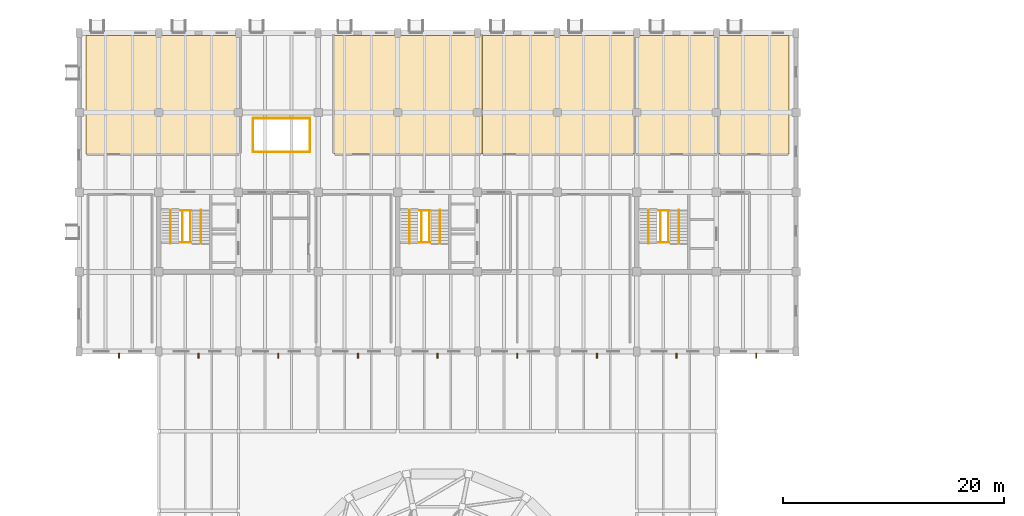
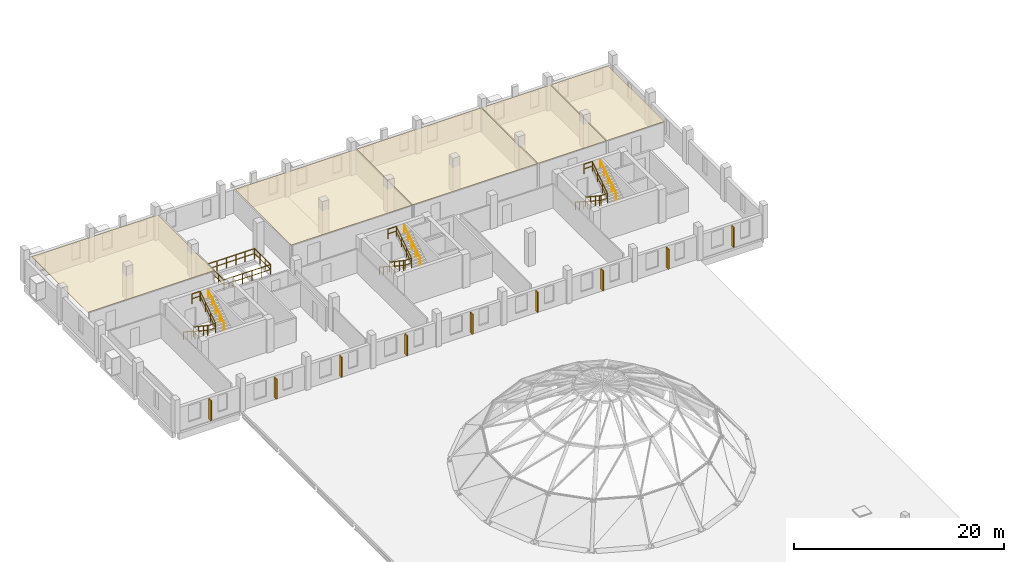
# One storey, part 32 of 32: 22 railings, 9 shading devices, 5 coverings.
"""IFC4 building model written with IfcOpenShell, lengths in metres."""

from ifc_helpers import new_model, si_unit, direction, frame, origin, origin_2d, place, context, subcontext, project, spatial, polyline, rectangle, circle, outline, extrude, material, layer, layer_set, material_profile, profile_set, type_object, element, save


model = new_model("IFC4")

# Units and contexts
model_context = context("Model", 3, precision=1e-05, world=origin(), true_north=direction((0.0, 1.0)))
body_context = subcontext(model_context, "Body", "Model", "MODEL_VIEW")
ifc_project = project(units=[si_unit("LENGTHUNIT", "METRE"), si_unit("AREAUNIT", "SQUARE_METRE"), si_unit("VOLUMEUNIT", "CUBIC_METRE"), si_unit("PLANEANGLEUNIT", "RADIAN"), si_unit("MASSUNIT", "GRAM", prefix="KILO")], contexts=[model_context])

# Site, building, storey
site_placement = place(None, origin())
site = spatial("IfcSite", under=ifc_project, at=site_placement, CompositionType="ELEMENT")
building_placement = place(site_placement, origin())
building = spatial("IfcBuilding", under=site, at=building_placement, Name="Qiaolan Assembly House", CompositionType="ELEMENT")
storey_placement = place(building_placement, frame((0.0, 0.0, 18.60009765625)))
storey = spatial("IfcBuildingStorey", under=building, at=storey_placement, Name="L04", CompositionType="ELEMENT", Elevation=18.60009765625)

# Coverings
ifc_material_1 = material(Name="Gypsum plasterboard acoustic ceiling")
ifc_layer_1 = layer(ifc_material_1, 0.044921875)
ifc_layer_set_1 = layer_set([ifc_layer_1], Name="Gypsum plasterboard acoustic ceiling")
covering_type_1 = type_object("IfcCoveringType", Name="COV-CEIL-ACOUSTIC", PredefinedType="CEILING", material=ifc_layer_set_1)
covering_1_placement = place(storey_placement, frame((0.0, 0.0, 2.73486328125)))
element("IfcCovering", 1, at=covering_1_placement, inside=storey, type_object=covering_type_1, Name="Suspended ceiling Municipal Finance & Audit Directorate", PredefinedType="CEILING", context=body_context, shape_type="SweptSolid", body=[
    extrude(outline(polyline([(36.639892578125, 104.239990234375), (50.56005859375, 104.239990234375), (50.56005859375, 114.949951171875), (36.639892578125, 114.949951171875), (36.639892578125, 104.239990234375)])), origin(), (0.0, 0.0, 1.0), 0.044921875),
])
covering_2_placement = place(storey_placement, frame((0.0, 0.0, 2.73486328125)))
element("IfcCovering", 2, at=covering_2_placement, inside=storey, type_object=covering_type_1, Name="Suspended ceiling Legal Counsel & Regulatory Review Chambers", PredefinedType="CEILING", context=body_context, shape_type="SweptSolid", body=[
    extrude(outline(polyline([(72.43994140625, 104.239990234375), (86.159912109375, 104.239990234375), (86.159912109375, 114.949951171875), (72.43994140625, 114.949951171875), (72.43994140625, 104.239990234375)])), origin(), (0.0, 0.0, 1.0), 0.044921875),
])
covering_3_placement = place(storey_placement, frame((0.0, 0.0, 2.73486328125)))
element("IfcCovering", 3, at=covering_3_placement, inside=storey, type_object=covering_type_1, Name="Suspended ceiling Encrypted IT & Municipal Server Room", PredefinedType="CEILING", context=body_context, shape_type="SweptSolid", body=[
    extrude(outline(polyline([(86.239990234375, 104.239990234375), (93.760009765625, 104.239990234375), (93.760009765625, 114.949951171875), (86.239990234375, 114.949951171875), (86.239990234375, 104.239990234375)])), origin(), (0.0, 0.0, 1.0), 0.044921875),
])
covering_4_placement = place(storey_placement, frame((0.0, 0.0, 2.73486328125)))
element("IfcCovering", 4, at=covering_4_placement, inside=storey, type_object=covering_type_1, Name="Suspended ceiling Document Registry & Seal Custody Room", PredefinedType="CEILING", context=body_context, shape_type="SweptSolid", body=[
    extrude(outline(polyline([(93.840087890625, 104.239990234375), (100.159912109375, 104.239990234375), (100.159912109375, 114.949951171875), (93.840087890625, 114.949951171875), (93.840087890625, 104.239990234375)])), origin(), (0.0, 0.0, 1.0), 0.044921875),
])
ifc_layer_2 = layer(ifc_material_1, 0.052001953125)
ifc_layer_set_2 = layer_set([ifc_layer_2], Name="Gypsum plasterboard acoustic ceiling")
covering_type_2 = type_object("IfcCoveringType", Name="COV-CEIL-GYPSUM", PredefinedType="CEILING", material=ifc_layer_set_2)
covering_5_placement = place(storey_placement, frame((0.0, 0.0, 2.727783203125)))
element("IfcCovering", 5, at=covering_5_placement, inside=storey, type_object=covering_type_2, Name="Suspended ceiling Budget Hearing & Procurement Boardroom", PredefinedType="CEILING", context=body_context, shape_type="SweptSolid", body=[
    extrude(outline(polyline([(59.0400390625, 104.239990234375), (72.360107421875, 104.239990234375), (72.360107421875, 114.949951171875), (59.0400390625, 114.949951171875), (59.0400390625, 104.239990234375)])), origin(), (0.0, 0.0, 1.0), 0.052001953125),
])

# Railings
ifc_material_2 = material(Name="Anodised bronze aluminium", Category="aluminium")
railing_type_1 = type_object("IfcRailingType", Name="RAL-GUARD-GALLERY-1200", PredefinedType="BALUSTRADE", material=ifc_material_2)
railing_1_placement = place(storey_placement, frame((51.719970703125, 104.419921875, 0.0)))
element("IfcRailing", 6, at=railing_1_placement, inside=storey, type_object=railing_type_1, Name="GR-02 North-West Wing Lightwell Atrium Balustrade L04 seg 1", PredefinedType="BALUSTRADE", context=body_context, shape_type="SweptSolid", body=[
    extrude(circle(Radius=0.02392578125, at=origin_2d()), frame((0.0, 0.0, 1.17578125), z_axis=(1.0, 0.0, 0.0), x_axis=(0.0, 1.0, 0.0)), (0.0, 0.0, 1.0), 5.159912109375),
    extrude(circle(Radius=0.01611328125, at=origin_2d()), frame((0.0, 0.0, 0.60009765625), z_axis=(1.0, 0.0, 0.0), x_axis=(0.0, 1.0, 0.0)), (0.0, 0.0, 1.0), 5.159912109375),
    extrude(circle(Radius=0.02099609375, at=origin_2d()), origin(), (0.0, 0.0, 1.0), 1.15185546875),
    extrude(circle(Radius=0.02099609375, at=origin_2d()), frame((1.031982421875, 0.0, 0.0)), (0.0, 0.0, 1.0), 1.15185546875),
    extrude(circle(Radius=0.02099609375, at=origin_2d()), frame((2.06396484375, 0.0, 0.0)), (0.0, 0.0, 1.0), 1.15185546875),
    extrude(circle(Radius=0.02099609375, at=origin_2d()), frame((3.095947265625, 0.0, 0.0)), (0.0, 0.0, 1.0), 1.15185546875),
    extrude(circle(Radius=0.02099609375, at=origin_2d()), frame((4.1279296875, 0.0, 0.0)), (0.0, 0.0, 1.0), 1.15185546875),
    extrude(circle(Radius=0.02099609375, at=origin_2d()), frame((5.159912109375, 0.0, 0.0)), (0.0, 0.0, 1.0), 1.15185546875),
])
railing_2_placement = place(storey_placement, frame((56.8798828125, 104.419921875, 0.0)))
element("IfcRailing", 7, at=railing_2_placement, inside=storey, type_object=railing_type_1, Name="GR-02 North-West Wing Lightwell Atrium Balustrade L04 seg 2", PredefinedType="BALUSTRADE", context=body_context, shape_type="SweptSolid", body=[
    extrude(circle(Radius=0.02392578125, at=origin_2d()), frame((0.0, 0.0, 1.17578125), z_axis=(0.0, 1.0, 0.0), x_axis=(-1.0, 0.0, 0.0)), (0.0, 0.0, 1.0), 3.06005859375),
    extrude(circle(Radius=0.01611328125, at=origin_2d()), frame((0.0, 0.0, 0.60009765625), z_axis=(0.0, 1.0, 0.0), x_axis=(-1.0, 0.0, 0.0)), (0.0, 0.0, 1.0), 3.06005859375),
    extrude(circle(Radius=0.02099609375, at=origin_2d()), origin(), (0.0, 0.0, 1.0), 1.15185546875),
    extrude(circle(Radius=0.02099609375, at=origin_2d()), frame((0.0, 1.02001953125, 0.0)), (0.0, 0.0, 1.0), 1.15185546875),
    extrude(circle(Radius=0.02099609375, at=origin_2d()), frame((0.0, 2.0400390625, 0.0)), (0.0, 0.0, 1.0), 1.15185546875),
    extrude(circle(Radius=0.02099609375, at=origin_2d()), frame((0.0, 3.06005859375, 0.0)), (0.0, 0.0, 1.0), 1.15185546875),
])
railing_3_placement = place(storey_placement, frame((56.8798828125, 107.47998046875, 0.0)))
element("IfcRailing", 8, at=railing_3_placement, inside=storey, type_object=railing_type_1, Name="GR-02 North-West Wing Lightwell Atrium Balustrade L04 seg 3", PredefinedType="BALUSTRADE", context=body_context, shape_type="SweptSolid", body=[
    extrude(circle(Radius=0.02392578125, at=origin_2d()), frame((0.0, 0.0, 1.17578125), z_axis=(-1.0, 0.0, 0.0), x_axis=(0.0, -1.0, 0.0)), (0.0, 0.0, 1.0), 5.159912109375),
    extrude(circle(Radius=0.01611328125, at=origin_2d()), frame((0.0, 0.0, 0.60009765625), z_axis=(-1.0, 0.0, 0.0), x_axis=(0.0, -1.0, 0.0)), (0.0, 0.0, 1.0), 5.159912109375),
    extrude(circle(Radius=0.02099609375, at=origin_2d()), origin(), (0.0, 0.0, 1.0), 1.15185546875),
    extrude(circle(Radius=0.02099609375, at=origin_2d()), frame((-1.031982421875, 0.0, 0.0)), (0.0, 0.0, 1.0), 1.15185546875),
    extrude(circle(Radius=0.02099609375, at=origin_2d()), frame((-2.06396484375, 0.0, 0.0)), (0.0, 0.0, 1.0), 1.15185546875),
    extrude(circle(Radius=0.02099609375, at=origin_2d()), frame((-3.095947265625, 0.0, 0.0)), (0.0, 0.0, 1.0), 1.15185546875),
    extrude(circle(Radius=0.02099609375, at=origin_2d()), frame((-4.1279296875, 0.0, 0.0)), (0.0, 0.0, 1.0), 1.15185546875),
    extrude(circle(Radius=0.02099609375, at=origin_2d()), frame((-5.159912109375, 0.0, 0.0)), (0.0, 0.0, 1.0), 1.15185546875),
])
railing_4_placement = place(storey_placement, frame((51.719970703125, 107.47998046875, 0.0)))
element("IfcRailing", 9, at=railing_4_placement, inside=storey, type_object=railing_type_1, Name="GR-02 North-West Wing Lightwell Atrium Balustrade L04 seg 4", PredefinedType="BALUSTRADE", context=body_context, shape_type="SweptSolid", body=[
    extrude(circle(Radius=0.02392578125, at=origin_2d()), frame((0.0, 0.0, 1.17578125), z_axis=(0.0, -1.0, 0.0), x_axis=(1.0, 0.0, 0.0)), (0.0, 0.0, 1.0), 3.06005859375),
    extrude(circle(Radius=0.01611328125, at=origin_2d()), frame((0.0, 0.0, 0.60009765625), z_axis=(0.0, -1.0, 0.0), x_axis=(1.0, 0.0, 0.0)), (0.0, 0.0, 1.0), 3.06005859375),
    extrude(circle(Radius=0.02099609375, at=origin_2d()), origin(), (0.0, 0.0, 1.0), 1.15185546875),
    extrude(circle(Radius=0.02099609375, at=origin_2d()), frame((0.0, -1.02001953125, 0.0)), (0.0, 0.0, 1.0), 1.15185546875),
    extrude(circle(Radius=0.02099609375, at=origin_2d()), frame((0.0, -2.0400390625, 0.0)), (0.0, 0.0, 1.0), 1.15185546875),
    extrude(circle(Radius=0.02099609375, at=origin_2d()), frame((0.0, -3.06005859375, 0.0)), (0.0, 0.0, 1.0), 1.15185546875),
])
railing_type_2 = type_object("IfcRailingType", Name="RAL-GUARD-STAIRWELL-1150", PredefinedType="GUARDRAIL", material=ifc_material_2)
railing_5_placement = place(storey_placement, frame((45.340087890625, 99.14990234375, 0.0)))
element("IfcRailing", 10, at=railing_5_placement, inside=storey, type_object=railing_type_2, Name="GR-01 stair inner-well guard FLT-CORE-A-L04-1", PredefinedType="GUARDRAIL", context=body_context, shape_type="SweptSolid", body=[
    extrude(circle(Radius=0.02392578125, at=origin_2d()), frame((0.0, 0.0, 1.1259765625), z_axis=(0.0, -0.831160267213, 0.556032921872), x_axis=(1.0, 0.0, 0.0)), (0.0, 0.0, 1.0), 3.5068359375),
    extrude(circle(Radius=0.01611328125, at=origin_2d()), frame((0.0, 0.0, 0.574951171875), z_axis=(0.0, -0.831160267213, 0.556032921872), x_axis=(1.0, 0.0, 0.0)), (0.0, 0.0, 1.0), 3.5068359375),
    extrude(circle(Radius=0.02099609375, at=origin_2d()), origin(), (0.0, 0.0, 1.0), 1.101806640625),
    extrude(circle(Radius=0.02099609375, at=origin_2d()), frame((0.0, -0.9716796875, 0.64990234375)), (0.0, 0.0, 1.0), 1.101806640625),
    extrude(circle(Radius=0.02099609375, at=origin_2d()), frame((0.0, -1.943115234375, 1.300048828125)), (0.0, 0.0, 1.0), 1.101806640625),
    extrude(circle(Radius=0.02099609375, at=origin_2d()), frame((0.0, -2.914794921875, 1.949951171875)), (0.0, 0.0, 1.0), 1.101806640625),
])
railing_6_placement = place(storey_placement, frame((46.080078125, 96.235107421875, 1.949951171875)))
element("IfcRailing", 11, at=railing_6_placement, inside=storey, type_object=railing_type_2, Name="GR-01 stair inner-well guard FLT-CORE-A-L04-2", PredefinedType="GUARDRAIL", context=body_context, shape_type="SweptSolid", body=[
    extrude(circle(Radius=0.02392578125, at=origin_2d()), frame((0.0, 0.0, 1.1259765625), z_axis=(0.0, 0.831160267213, 0.556032921872), x_axis=(-1.0, 0.0, 0.0)), (0.0, 0.0, 1.0), 3.5068359375),
    extrude(circle(Radius=0.01611328125, at=origin_2d()), frame((0.0, 0.0, 0.574951171875), z_axis=(0.0, 0.831160267213, 0.556032921872), x_axis=(-1.0, 0.0, 0.0)), (0.0, 0.0, 1.0), 3.5068359375),
    extrude(circle(Radius=0.02099609375, at=origin_2d()), origin(), (0.0, 0.0, 1.0), 1.101806640625),
    extrude(circle(Radius=0.02099609375, at=origin_2d()), frame((0.0, 0.9716796875, 0.64990234375)), (0.0, 0.0, 1.0), 1.101806640625),
    extrude(circle(Radius=0.02099609375, at=origin_2d()), frame((0.0, 1.943115234375, 1.300048828125)), (0.0, 0.0, 1.0), 1.101806640625),
    extrude(circle(Radius=0.02099609375, at=origin_2d()), frame((0.0, 2.914794921875, 1.949951171875)), (0.0, 0.0, 1.0), 1.101806640625),
])
for number, where, name in (
    (12, (45.179931640625, 96.235107421875, 1.949951171875), "GR-01 stairwell landing guard CORE-A L04-1"),
    (13, (45.179931640625, 99.14990234375, 3.89990234375), "GR-01 stairwell landing guard CORE-A L04-2"),
):
    element("IfcRailing", number, at=place(storey_placement, frame(where)), inside=storey, type_object=railing_type_2, Name=name, PredefinedType="GUARDRAIL", context=body_context, shape_type="SweptSolid", body=[
        extrude(circle(Radius=0.02392578125, at=origin_2d()), frame((0.0, 0.0, 1.1259765625), z_axis=(1.0, 0.0, 0.0), x_axis=(0.0, 1.0, 0.0)), (0.0, 0.0, 1.0), 0.920166015625),
        extrude(circle(Radius=0.01611328125, at=origin_2d()), frame((0.0, 0.0, 0.574951171875), z_axis=(1.0, 0.0, 0.0), x_axis=(0.0, 1.0, 0.0)), (0.0, 0.0, 1.0), 0.920166015625),
        extrude(circle(Radius=0.02099609375, at=origin_2d()), origin(), (0.0, 0.0, 1.0), 1.101806640625),
        extrude(circle(Radius=0.02099609375, at=origin_2d()), frame((0.920166015625, 0.0, 0.0)), (0.0, 0.0, 1.0), 1.101806640625),
    ])
railing_7_placement = place(storey_placement, frame((66.93994140625, 99.14990234375, 0.0)))
element("IfcRailing", 14, at=railing_7_placement, inside=storey, type_object=railing_type_2, Name="GR-01 stair inner-well guard FLT-CORE-B-L04-1", PredefinedType="GUARDRAIL", context=body_context, shape_type="SweptSolid", body=[
    extrude(circle(Radius=0.02392578125, at=origin_2d()), frame((0.0, 0.0, 1.1259765625), z_axis=(0.0, -0.831160267213, 0.556032921872), x_axis=(1.0, 0.0, 0.0)), (0.0, 0.0, 1.0), 3.5068359375),
    extrude(circle(Radius=0.01611328125, at=origin_2d()), frame((0.0, 0.0, 0.574951171875), z_axis=(0.0, -0.831160267213, 0.556032921872), x_axis=(1.0, 0.0, 0.0)), (0.0, 0.0, 1.0), 3.5068359375),
    extrude(circle(Radius=0.02099609375, at=origin_2d()), origin(), (0.0, 0.0, 1.0), 1.101806640625),
    extrude(circle(Radius=0.02099609375, at=origin_2d()), frame((0.0, -0.9716796875, 0.64990234375)), (0.0, 0.0, 1.0), 1.101806640625),
    extrude(circle(Radius=0.02099609375, at=origin_2d()), frame((0.0, -1.943115234375, 1.300048828125)), (0.0, 0.0, 1.0), 1.101806640625),
    extrude(circle(Radius=0.02099609375, at=origin_2d()), frame((0.0, -2.914794921875, 1.949951171875)), (0.0, 0.0, 1.0), 1.101806640625),
])
railing_8_placement = place(storey_placement, frame((67.679931640625, 96.235107421875, 1.949951171875)))
element("IfcRailing", 15, at=railing_8_placement, inside=storey, type_object=railing_type_2, Name="GR-01 stair inner-well guard FLT-CORE-B-L04-2", PredefinedType="GUARDRAIL", context=body_context, shape_type="SweptSolid", body=[
    extrude(circle(Radius=0.02392578125, at=origin_2d()), frame((0.0, 0.0, 1.1259765625), z_axis=(0.0, 0.831160267213, 0.556032921872), x_axis=(-1.0, 0.0, 0.0)), (0.0, 0.0, 1.0), 3.5068359375),
    extrude(circle(Radius=0.01611328125, at=origin_2d()), frame((0.0, 0.0, 0.574951171875), z_axis=(0.0, 0.831160267213, 0.556032921872), x_axis=(-1.0, 0.0, 0.0)), (0.0, 0.0, 1.0), 3.5068359375),
    extrude(circle(Radius=0.02099609375, at=origin_2d()), origin(), (0.0, 0.0, 1.0), 1.101806640625),
    extrude(circle(Radius=0.02099609375, at=origin_2d()), frame((0.0, 0.9716796875, 0.64990234375)), (0.0, 0.0, 1.0), 1.101806640625),
    extrude(circle(Radius=0.02099609375, at=origin_2d()), frame((0.0, 1.943115234375, 1.300048828125)), (0.0, 0.0, 1.0), 1.101806640625),
    extrude(circle(Radius=0.02099609375, at=origin_2d()), frame((0.0, 2.914794921875, 1.949951171875)), (0.0, 0.0, 1.0), 1.101806640625),
])
for number, where, name in (
    (16, (66.780029296875, 96.235107421875, 1.949951171875), "GR-01 stairwell landing guard CORE-B L04-1"),
    (17, (66.780029296875, 99.14990234375, 3.89990234375), "GR-01 stairwell landing guard CORE-B L04-2"),
):
    element("IfcRailing", number, at=place(storey_placement, frame(where)), inside=storey, type_object=railing_type_2, Name=name, PredefinedType="GUARDRAIL", context=body_context, shape_type="SweptSolid", body=[
        extrude(circle(Radius=0.02392578125, at=origin_2d()), frame((0.0, 0.0, 1.1259765625), z_axis=(1.0, 0.0, 0.0), x_axis=(0.0, 1.0, 0.0)), (0.0, 0.0, 1.0), 0.919921875),
        extrude(circle(Radius=0.01611328125, at=origin_2d()), frame((0.0, 0.0, 0.574951171875), z_axis=(1.0, 0.0, 0.0), x_axis=(0.0, 1.0, 0.0)), (0.0, 0.0, 1.0), 0.919921875),
        extrude(circle(Radius=0.02099609375, at=origin_2d()), origin(), (0.0, 0.0, 1.0), 1.101806640625),
        extrude(circle(Radius=0.02099609375, at=origin_2d()), frame((0.919921875, 0.0, 0.0)), (0.0, 0.0, 1.0), 1.101806640625),
    ])
railing_9_placement = place(storey_placement, frame((88.5400390625, 99.14990234375, 0.0)))
element("IfcRailing", 18, at=railing_9_placement, inside=storey, type_object=railing_type_2, Name="GR-01 stair inner-well guard FLT-CORE-G-L04-1", PredefinedType="GUARDRAIL", context=body_context, shape_type="SweptSolid", body=[
    extrude(circle(Radius=0.02392578125, at=origin_2d()), frame((0.0, 0.0, 1.1259765625), z_axis=(0.0, -0.831160267213, 0.556032921872), x_axis=(1.0, 0.0, 0.0)), (0.0, 0.0, 1.0), 3.5068359375),
    extrude(circle(Radius=0.01611328125, at=origin_2d()), frame((0.0, 0.0, 0.574951171875), z_axis=(0.0, -0.831160267213, 0.556032921872), x_axis=(1.0, 0.0, 0.0)), (0.0, 0.0, 1.0), 3.5068359375),
    extrude(circle(Radius=0.02099609375, at=origin_2d()), origin(), (0.0, 0.0, 1.0), 1.101806640625),
    extrude(circle(Radius=0.02099609375, at=origin_2d()), frame((0.0, -0.9716796875, 0.64990234375)), (0.0, 0.0, 1.0), 1.101806640625),
    extrude(circle(Radius=0.02099609375, at=origin_2d()), frame((0.0, -1.943115234375, 1.300048828125)), (0.0, 0.0, 1.0), 1.101806640625),
    extrude(circle(Radius=0.02099609375, at=origin_2d()), frame((0.0, -2.914794921875, 1.949951171875)), (0.0, 0.0, 1.0), 1.101806640625),
])
railing_10_placement = place(storey_placement, frame((89.280029296875, 96.235107421875, 1.949951171875)))
element("IfcRailing", 19, at=railing_10_placement, inside=storey, type_object=railing_type_2, Name="GR-01 stair inner-well guard FLT-CORE-G-L04-2", PredefinedType="GUARDRAIL", context=body_context, shape_type="SweptSolid", body=[
    extrude(circle(Radius=0.02392578125, at=origin_2d()), frame((0.0, 0.0, 1.1259765625), z_axis=(0.0, 0.831160267213, 0.556032921872), x_axis=(-1.0, 0.0, 0.0)), (0.0, 0.0, 1.0), 3.5068359375),
    extrude(circle(Radius=0.01611328125, at=origin_2d()), frame((0.0, 0.0, 0.574951171875), z_axis=(0.0, 0.831160267213, 0.556032921872), x_axis=(-1.0, 0.0, 0.0)), (0.0, 0.0, 1.0), 3.5068359375),
    extrude(circle(Radius=0.02099609375, at=origin_2d()), origin(), (0.0, 0.0, 1.0), 1.101806640625),
    extrude(circle(Radius=0.02099609375, at=origin_2d()), frame((0.0, 0.9716796875, 0.64990234375)), (0.0, 0.0, 1.0), 1.101806640625),
    extrude(circle(Radius=0.02099609375, at=origin_2d()), frame((0.0, 1.943115234375, 1.300048828125)), (0.0, 0.0, 1.0), 1.101806640625),
    extrude(circle(Radius=0.02099609375, at=origin_2d()), frame((0.0, 2.914794921875, 1.949951171875)), (0.0, 0.0, 1.0), 1.101806640625),
])
for number, where, name in (
    (20, (88.3798828125, 96.235107421875, 1.949951171875), "GR-01 stairwell landing guard CORE-G L04-1"),
    (21, (88.3798828125, 99.14990234375, 3.89990234375), "GR-01 stairwell landing guard CORE-G L04-2"),
):
    element("IfcRailing", number, at=place(storey_placement, frame(where)), inside=storey, type_object=railing_type_2, Name=name, PredefinedType="GUARDRAIL", context=body_context, shape_type="SweptSolid", body=[
        extrude(circle(Radius=0.02392578125, at=origin_2d()), frame((0.0, 0.0, 1.1259765625), z_axis=(1.0, 0.0, 0.0), x_axis=(0.0, 1.0, 0.0)), (0.0, 0.0, 1.0), 0.920166015625),
        extrude(circle(Radius=0.01611328125, at=origin_2d()), frame((0.0, 0.0, 0.574951171875), z_axis=(1.0, 0.0, 0.0), x_axis=(0.0, 1.0, 0.0)), (0.0, 0.0, 1.0), 0.920166015625),
        extrude(circle(Radius=0.02099609375, at=origin_2d()), origin(), (0.0, 0.0, 1.0), 1.101806640625),
        extrude(circle(Radius=0.02099609375, at=origin_2d()), frame((0.920166015625, 0.0, 0.0)), (0.0, 0.0, 1.0), 1.101806640625),
    ])
railing_type_3 = type_object("IfcRailingType", Name="RAL-HANDRAIL-STAIR-920", PredefinedType="HANDRAIL", material=ifc_material_2)
railing_11_placement = place(storey_placement, frame((44.25, 99.2099609375, 0.0)))
element("IfcRailing", 22, at=railing_11_placement, inside=storey, type_object=railing_type_3, Name="HR-01 stair handrail FLT-CORE-A-L04-1", PredefinedType="HANDRAIL", context=body_context, shape_type="SweptSolid", body=[
    extrude(circle(Radius=0.02392578125, at=origin_2d()), frame((0.0, 0.0, 0.89599609375), z_axis=(0.0, -0.841312585048, 0.540548919377), x_axis=(1.0, 0.0, 0.0)), (0.0, 0.0, 1.0), 3.607421875),
    extrude(circle(Radius=0.02099609375, at=origin_2d()), origin(), (0.0, 0.0, 1.0), 0.871826171875),
    extrude(circle(Radius=0.02099609375, at=origin_2d()), frame((0.0, -0.7587890625, 0.487548828125)), (0.0, 0.0, 1.0), 0.871826171875),
    extrude(circle(Radius=0.02099609375, at=origin_2d()), frame((0.0, -1.517578125, 0.97509765625)), (0.0, 0.0, 1.0), 0.871826171875),
    extrude(circle(Radius=0.02099609375, at=origin_2d()), frame((0.0, -2.276123046875, 1.46240234375)), (0.0, 0.0, 1.0), 0.871826171875),
    extrude(circle(Radius=0.02099609375, at=origin_2d()), frame((0.0, -3.034912109375, 1.949951171875)), (0.0, 0.0, 1.0), 0.871826171875),
])
railing_12_placement = place(storey_placement, frame((47.0, 96.175048828125, 1.949951171875)))
element("IfcRailing", 23, at=railing_12_placement, inside=storey, type_object=railing_type_3, Name="HR-01 stair handrail FLT-CORE-A-L04-2", PredefinedType="HANDRAIL", context=body_context, shape_type="SweptSolid", body=[
    extrude(circle(Radius=0.02392578125, at=origin_2d()), frame((0.0, 0.0, 0.89599609375), z_axis=(0.0, 0.841312585048, 0.540548919377), x_axis=(-1.0, 0.0, 0.0)), (0.0, 0.0, 1.0), 3.607421875),
    extrude(circle(Radius=0.02099609375, at=origin_2d()), origin(), (0.0, 0.0, 1.0), 0.871826171875),
    extrude(circle(Radius=0.02099609375, at=origin_2d()), frame((0.0, 0.7587890625, 0.487548828125)), (0.0, 0.0, 1.0), 0.871826171875),
    extrude(circle(Radius=0.02099609375, at=origin_2d()), frame((0.0, 1.517578125, 0.97509765625)), (0.0, 0.0, 1.0), 0.871826171875),
    extrude(circle(Radius=0.02099609375, at=origin_2d()), frame((0.0, 2.276123046875, 1.46240234375)), (0.0, 0.0, 1.0), 0.871826171875),
    extrude(circle(Radius=0.02099609375, at=origin_2d()), frame((0.0, 3.034912109375, 1.949951171875)), (0.0, 0.0, 1.0), 0.871826171875),
])
railing_13_placement = place(storey_placement, frame((65.85009765625, 99.2099609375, 0.0)))
element("IfcRailing", 24, at=railing_13_placement, inside=storey, type_object=railing_type_3, Name="HR-01 stair handrail FLT-CORE-B-L04-1", PredefinedType="HANDRAIL", context=body_context, shape_type="SweptSolid", body=[
    extrude(circle(Radius=0.02392578125, at=origin_2d()), frame((0.0, 0.0, 0.89599609375), z_axis=(0.0, -0.841312585048, 0.540548919377), x_axis=(1.0, 0.0, 0.0)), (0.0, 0.0, 1.0), 3.607421875),
    extrude(circle(Radius=0.02099609375, at=origin_2d()), origin(), (0.0, 0.0, 1.0), 0.871826171875),
    extrude(circle(Radius=0.02099609375, at=origin_2d()), frame((0.0, -0.7587890625, 0.487548828125)), (0.0, 0.0, 1.0), 0.871826171875),
    extrude(circle(Radius=0.02099609375, at=origin_2d()), frame((0.0, -1.517578125, 0.97509765625)), (0.0, 0.0, 1.0), 0.871826171875),
    extrude(circle(Radius=0.02099609375, at=origin_2d()), frame((0.0, -2.276123046875, 1.46240234375)), (0.0, 0.0, 1.0), 0.871826171875),
    extrude(circle(Radius=0.02099609375, at=origin_2d()), frame((0.0, -3.034912109375, 1.949951171875)), (0.0, 0.0, 1.0), 0.871826171875),
])
railing_14_placement = place(storey_placement, frame((68.60009765625, 96.175048828125, 1.949951171875)))
element("IfcRailing", 25, at=railing_14_placement, inside=storey, type_object=railing_type_3, Name="HR-01 stair handrail FLT-CORE-B-L04-2", PredefinedType="HANDRAIL", context=body_context, shape_type="SweptSolid", body=[
    extrude(circle(Radius=0.02392578125, at=origin_2d()), frame((0.0, 0.0, 0.89599609375), z_axis=(0.0, 0.841312585048, 0.540548919377), x_axis=(-1.0, 0.0, 0.0)), (0.0, 0.0, 1.0), 3.607421875),
    extrude(circle(Radius=0.02099609375, at=origin_2d()), origin(), (0.0, 0.0, 1.0), 0.871826171875),
    extrude(circle(Radius=0.02099609375, at=origin_2d()), frame((0.0, 0.7587890625, 0.487548828125)), (0.0, 0.0, 1.0), 0.871826171875),
    extrude(circle(Radius=0.02099609375, at=origin_2d()), frame((0.0, 1.517578125, 0.97509765625)), (0.0, 0.0, 1.0), 0.871826171875),
    extrude(circle(Radius=0.02099609375, at=origin_2d()), frame((0.0, 2.276123046875, 1.46240234375)), (0.0, 0.0, 1.0), 0.871826171875),
    extrude(circle(Radius=0.02099609375, at=origin_2d()), frame((0.0, 3.034912109375, 1.949951171875)), (0.0, 0.0, 1.0), 0.871826171875),
])
railing_15_placement = place(storey_placement, frame((87.449951171875, 99.2099609375, 0.0)))
element("IfcRailing", 26, at=railing_15_placement, inside=storey, type_object=railing_type_3, Name="HR-01 stair handrail FLT-CORE-G-L04-1", PredefinedType="HANDRAIL", context=body_context, shape_type="SweptSolid", body=[
    extrude(circle(Radius=0.02392578125, at=origin_2d()), frame((0.0, 0.0, 0.89599609375), z_axis=(0.0, -0.841312585048, 0.540548919377), x_axis=(1.0, 0.0, 0.0)), (0.0, 0.0, 1.0), 3.607421875),
    extrude(circle(Radius=0.02099609375, at=origin_2d()), origin(), (0.0, 0.0, 1.0), 0.871826171875),
    extrude(circle(Radius=0.02099609375, at=origin_2d()), frame((0.0, -0.7587890625, 0.487548828125)), (0.0, 0.0, 1.0), 0.871826171875),
    extrude(circle(Radius=0.02099609375, at=origin_2d()), frame((0.0, -1.517578125, 0.97509765625)), (0.0, 0.0, 1.0), 0.871826171875),
    extrude(circle(Radius=0.02099609375, at=origin_2d()), frame((0.0, -2.276123046875, 1.46240234375)), (0.0, 0.0, 1.0), 0.871826171875),
    extrude(circle(Radius=0.02099609375, at=origin_2d()), frame((0.0, -3.034912109375, 1.949951171875)), (0.0, 0.0, 1.0), 0.871826171875),
])
railing_16_placement = place(storey_placement, frame((90.199951171875, 96.175048828125, 1.949951171875)))
element("IfcRailing", 27, at=railing_16_placement, inside=storey, type_object=railing_type_3, Name="HR-01 stair handrail FLT-CORE-G-L04-2", PredefinedType="HANDRAIL", context=body_context, shape_type="SweptSolid", body=[
    extrude(circle(Radius=0.02392578125, at=origin_2d()), frame((0.0, 0.0, 0.89599609375), z_axis=(0.0, 0.841312585048, 0.540548919377), x_axis=(-1.0, 0.0, 0.0)), (0.0, 0.0, 1.0), 3.607421875),
    extrude(circle(Radius=0.02099609375, at=origin_2d()), origin(), (0.0, 0.0, 1.0), 0.871826171875),
    extrude(circle(Radius=0.02099609375, at=origin_2d()), frame((0.0, 0.7587890625, 0.487548828125)), (0.0, 0.0, 1.0), 0.871826171875),
    extrude(circle(Radius=0.02099609375, at=origin_2d()), frame((0.0, 1.517578125, 0.97509765625)), (0.0, 0.0, 1.0), 0.871826171875),
    extrude(circle(Radius=0.02099609375, at=origin_2d()), frame((0.0, 2.276123046875, 1.46240234375)), (0.0, 0.0, 1.0), 0.871826171875),
    extrude(circle(Radius=0.02099609375, at=origin_2d()), frame((0.0, 3.034912109375, 1.949951171875)), (0.0, 0.0, 1.0), 0.871826171875),
])

# Shading devices
ifc_material_3 = material(Name="Honed pale limestone", Category="masonry")
ifc_material_profile = material_profile(ifc_material_3, rectangle(XDim=0.1201171875, YDim=0.449951171875, at=origin_2d()), Name="FIN 120x450")
ifc_profile_set = profile_set([ifc_material_profile], Name="Honed pale limestone")
shading_device_type = type_object("IfcShadingDeviceType", Name="SHD-FIN-STONE-450", PredefinedType="JALOUSIE", material=ifc_profile_set)
for number, where, z_axis, x_axis, name in (
    (28, (39.60009765625, 86.02001953125, 0.2998046875), (0.0, 0.0, 1.0), (1.0, 0.0, 0.0), "SH-01 vertical limestone brise-soleil fin L04-1"),
    (29, (46.800048828125, 86.02001953125, 0.2998046875), (0.0, 0.0, 1.0), (1.0, 0.0, 0.0), "SH-01 vertical limestone brise-soleil fin L04-2"),
    (30, (54.0, 86.02001953125, 0.2998046875), (0.0, 0.0, 1.0), (1.0, 0.0, 0.0), "SH-01 vertical limestone brise-soleil fin L04-3"),
    (31, (61.199951171875, 86.02001953125, 0.2998046875), (0.0, 0.0, 1.0), (1.0, 0.0, 0.0), "SH-01 vertical limestone brise-soleil fin L04-4"),
    (32, (68.39990234375, 86.02001953125, 0.2998046875), (0.0, 0.0, 1.0), (1.0, 0.0, 0.0), "SH-01 vertical limestone brise-soleil fin L04-5"),
    (33, (75.60009765625, 86.02001953125, 0.2998046875), (0.0, 0.0, 1.0), (1.0, 0.0, 0.0), "SH-01 vertical limestone brise-soleil fin L04-6"),
    (34, (82.800048828125, 86.02001953125, 0.2998046875), (0.0, 0.0, 1.0), (1.0, 0.0, 0.0), "SH-01 vertical limestone brise-soleil fin L04-7"),
    (35, (90.0, 86.02001953125, 0.2998046875), (0.0, 0.0, 1.0), (1.0, 0.0, 0.0), "SH-01 vertical limestone brise-soleil fin L04-8"),
    (36, (97.199951171875, 86.02001953125, 0.2998046875), (0.0, 0.0, 1.0), (1.0, 0.0, 0.0), "SH-01 vertical limestone brise-soleil fin L04-9"),
):
    element("IfcShadingDevice", number, at=place(storey_placement, frame(where, z_axis=z_axis, x_axis=x_axis)), inside=storey, type_object=shading_device_type, Name=name, PredefinedType="JALOUSIE", context=body_context, shape_type="SweptSolid", body=[
        extrude(rectangle(XDim=0.1201171875, YDim=0.449951171875, at=origin_2d()), origin(), (0.0, 0.0, 1.0), 2.340087890625),
    ])

save(model, "model.ifc")
